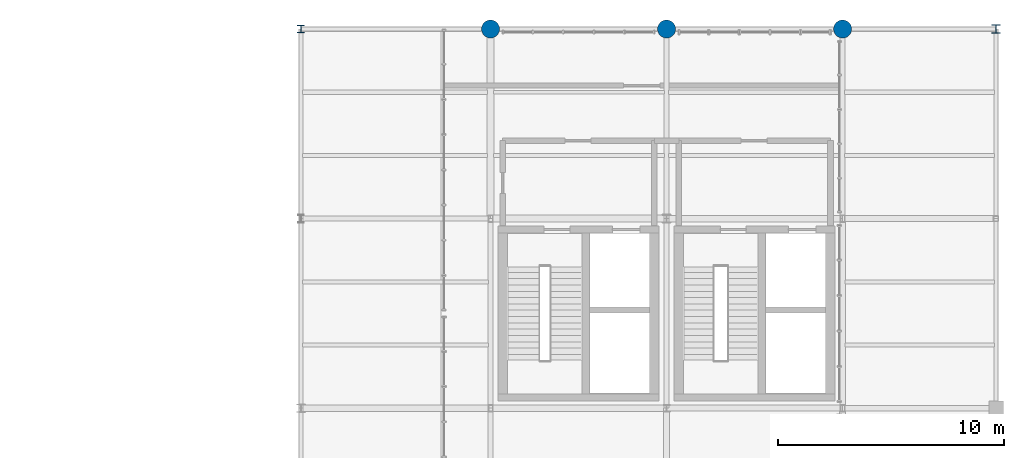
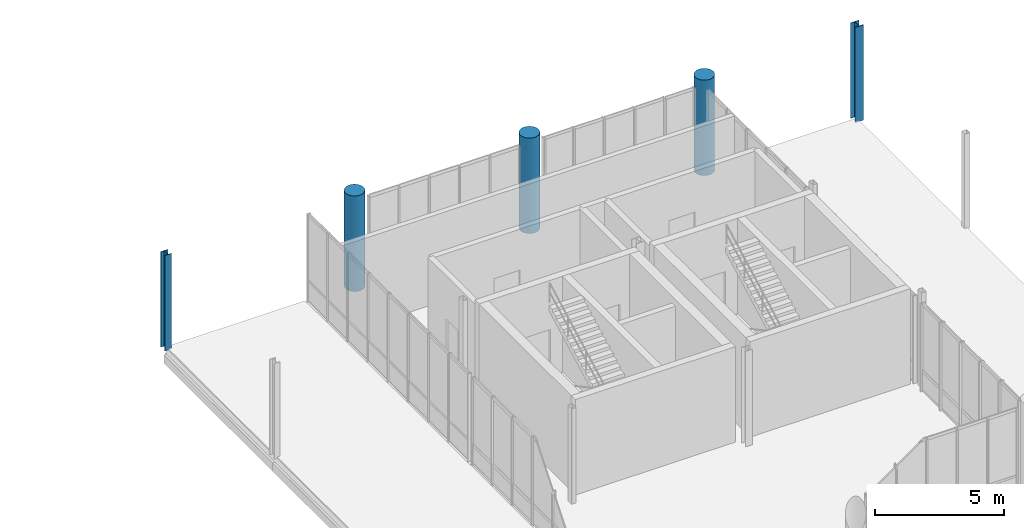
# One storey, part 6 of 68: 5 columns.
"""IFC4 building model written with IfcOpenShell, lengths in metres."""

from ifc_helpers import new_model, si_unit, direction, frame, origin_with_axes, origin_2d_with_axis, place, context, subcontext, project, spatial, circle, i_section, extrude, material, material_profile, profile_set, type_object, element, save


model = new_model("IFC4")

# Units and contexts
model_context = context("Model", 3, precision=1e-05, world=origin_with_axes(), true_north=direction((0.0, 1.0)))
body_context = subcontext(model_context, "Body", "Model", "MODEL_VIEW")
ifc_project = project(units=[si_unit("LENGTHUNIT", "METRE"), si_unit("AREAUNIT", "SQUARE_METRE"), si_unit("VOLUMEUNIT", "CUBIC_METRE"), si_unit("PLANEANGLEUNIT", "RADIAN"), si_unit("MASSUNIT", "GRAM", prefix="KILO"), si_unit("THERMODYNAMICTEMPERATUREUNIT", "KELVIN")], contexts=[model_context])

# Site, building, storey
site_placement = place(None, origin_with_axes())
site = spatial("IfcSite", under=ifc_project, at=site_placement, CompositionType="ELEMENT")
building_placement = place(site_placement, origin_with_axes())
building = spatial("IfcBuilding", under=site, at=building_placement, Name="Montbau Bow Law Courts", CompositionType="ELEMENT")
storey_placement = place(building_placement, frame((0.0, 0.0, 20.4), z_axis=(0.0, 0.0, 1.0), x_axis=(1.0, 0.0, 0.0)))
storey = spatial("IfcBuildingStorey", under=building, at=storey_placement, Name="L04", CompositionType="ELEMENT", Elevation=20.4)

# Columns
ifc_material_1 = material(Name="Concrete CSA A23.1 f'c 40 MPa", Category="concrete")
ifc_material_profile_1 = material_profile(ifc_material_1, circle(Radius=0.4, at=origin_2d_with_axis()), Name="RC800D", Category="Main", Priority=0)
ifc_profile_set_1 = profile_set([ifc_material_profile_1], Name="Concrete CSA A23.1 f'c 40 MPa")
column_type_1 = type_object("IfcColumnType", Name="C-RC-07", PredefinedType="COLUMN", material=ifc_profile_set_1)
for number, where, z_axis, x_axis, name in (
    (1, (147.0, 103.2, 20.4), (0.0, 0.0, 1.0), (1.0, 0.0, 0.0), "C-L04-S0822:col2_0822"),
    (2, (154.8, 103.2, 20.4), (0.0, 0.0, 1.0), (1.0, 0.0, 0.0), "C-L04-S0826:col2_0826"),
    (3, (162.6, 103.2, 20.4), (0.0, 0.0, 1.0), (1.0, 0.0, 0.0), "C-L04-S0830:col2_0830"),
):
    element("IfcColumn", number, at=place(None, frame(where, z_axis=z_axis, x_axis=x_axis)), inside=storey, type_object=column_type_1, Name=name, PredefinedType="COLUMN", context=body_context, shape_type="SweptSolid", body=[
        extrude(circle(Radius=0.4, at=origin_2d_with_axis()), origin_with_axes(), (0.0, 0.0, 1.0), 4.5),
    ])
ifc_material_2 = material(Name="Steel CSA G40.21 Grade 350W (350 MPa)", Category="steel")
ifc_material_profile_2 = material_profile(ifc_material_2, i_section(OverallWidth=0.373, OverallDepth=0.368, WebThickness=0.015, FlangeThickness=0.0239, at=origin_2d_with_axis()), Name="W360X179", Category="Main", Priority=0)
ifc_profile_set_2 = profile_set([ifc_material_profile_2], Name="Steel CSA G40.21 Grade 350W (350 MPa)")
column_type_2 = type_object("IfcColumnType", Name="C-STL-04", PredefinedType="COLUMN", material=ifc_profile_set_2)
column_1_placement = place(None, frame((169.4, 103.2, 20.4), z_axis=(0.0, 0.0, 1.0), x_axis=(1.0, 0.0, 0.0)))
element("IfcColumn", 4, at=column_1_placement, inside=storey, type_object=column_type_2, Name="C-L04-S0834:col2_0834", PredefinedType="COLUMN", context=body_context, shape_type="SweptSolid", body=[
    extrude(i_section(OverallWidth=0.373, OverallDepth=0.368, WebThickness=0.015, FlangeThickness=0.0239, at=origin_2d_with_axis()), origin_with_axes(), (0.0, 0.0, 1.0), 4.5),
])
ifc_material_profile_3 = material_profile(ifc_material_2, i_section(OverallWidth=0.309, OverallDepth=0.323, WebThickness=0.014, FlangeThickness=0.0229, at=origin_2d_with_axis()), Name="W310X143", Category="Main", Priority=0)
ifc_profile_set_3 = profile_set([ifc_material_profile_3], Name="Steel CSA G40.21 Grade 350W (350 MPa)")
column_type_3 = type_object("IfcColumnType", Name="C-STL-06", PredefinedType="COLUMN", material=ifc_profile_set_3)
column_2_placement = place(None, frame((138.6, 103.2, 20.4), z_axis=(0.0, 0.0, 1.0), x_axis=(1.0, 0.0, 0.0)))
element("IfcColumn", 5, at=column_2_placement, inside=storey, type_object=column_type_3, Name="C-L04-S0818:col2_0818", PredefinedType="COLUMN", context=body_context, shape_type="SweptSolid", body=[
    extrude(i_section(OverallWidth=0.309, OverallDepth=0.323, WebThickness=0.014, FlangeThickness=0.0229, at=origin_2d_with_axis()), origin_with_axes(), (0.0, 0.0, 1.0), 4.5),
])

save(model, "model.ifc")
